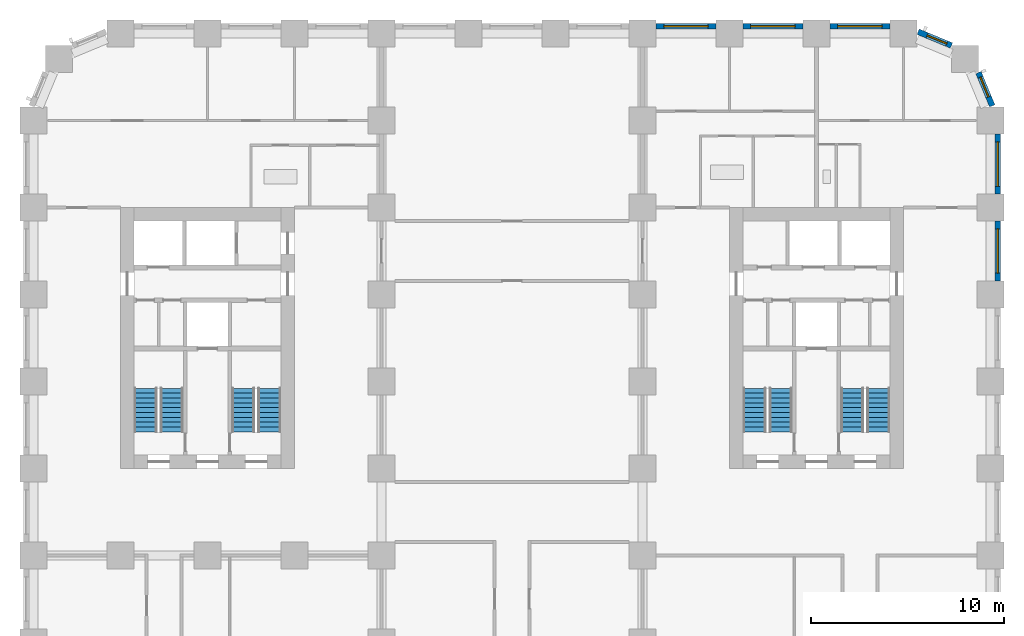
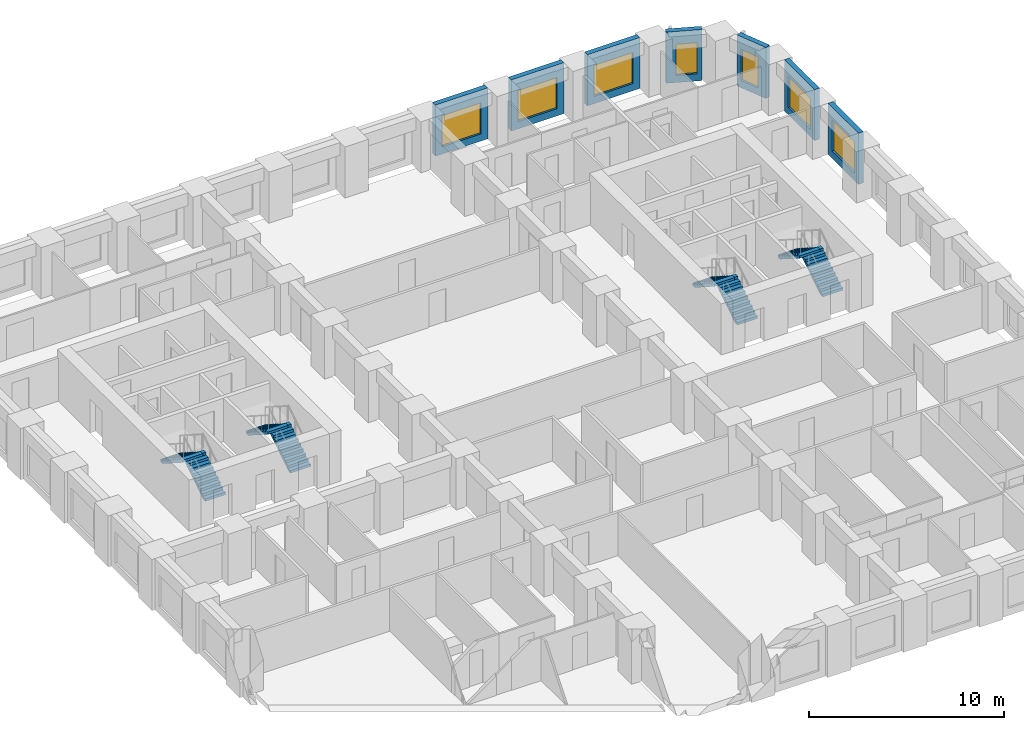
# One storey, part 9 of 12: 8 stair flights, 7 walls, 7 windows, 7 openings, 4 elements without a shape of their own.
"""IFC4 building model written with IfcOpenShell, lengths in metres."""

from ifc_helpers import new_model, si_unit, direction, frame, frame_2d, origin, place, context, subcontext, project, spatial, polyline, rectangle, outline, extrude, material, layer, layer_set, type_object, element, fill, aggregate, save


model = new_model("IFC4")

# Units and contexts
model_context = context("Model", 3, precision=1e-05, world=origin(), true_north=direction((0.0, 1.0)))
body_context = subcontext(model_context, "Body", "Model", "MODEL_VIEW")
ifc_project = project(units=[si_unit("LENGTHUNIT", "METRE"), si_unit("AREAUNIT", "SQUARE_METRE"), si_unit("VOLUMEUNIT", "CUBIC_METRE"), si_unit("PLANEANGLEUNIT", "RADIAN"), si_unit("MASSUNIT", "GRAM", prefix="KILO")], contexts=[model_context])

# Site, building, storey
site_placement = place(None, origin())
site = spatial("IfcSite", under=ifc_project, at=site_placement, CompositionType="ELEMENT")
building_placement = place(site_placement, origin())
building = spatial("IfcBuilding", under=site, at=building_placement, Name="Girih Gate Residences", CompositionType="ELEMENT")
storey_placement = place(building_placement, frame((0.0, 0.0, 72.0)))
storey = spatial("IfcBuildingStorey", under=building, at=storey_placement, Name="L19", CompositionType="ELEMENT", Elevation=72.0)

# Wall, opening, window
ifc_material_1 = material(Name="Precast concrete C50/60", Category="concrete")
ifc_layer_1 = layer(ifc_material_1, 0.080078125, Name="Outer leaf")
ifc_material_2 = material(Name="Rigid PIR insulation")
ifc_layer_2 = layer(ifc_material_2, 0.14990234375, Name="Insulation")
ifc_material_3 = material(Name="Precast concrete C40/50", Category="concrete")
ifc_layer_3 = layer(ifc_material_3, 0.070068359375, Name="Inner leaf")
ifc_layer_set = layer_set([ifc_layer_1, ifc_layer_2, ifc_layer_3], Name="Precast concrete C50/60 external wall 300")
wall_type = type_object("IfcWallType", Name="Precast concrete C50/60 external wall 300", PredefinedType="SOLIDWALL", material=ifc_layer_set)
wall_1_placement = place(storey_placement, frame((49.875, 39.800048828125, 0.0), z_axis=(0.0, 0.0, 1.0), x_axis=(0.0, -1.0, 0.0)))
wall_1 = element("IfcWall", 1, at=wall_1_placement, inside=storey, type_object=wall_type, Name="External wall E0495_0045.7", PredefinedType="SOLIDWALL", context=body_context, shape_type="SweptSolid", body=[
    extrude(rectangle(XDim=3.10009765625, YDim=0.300048828125, at=frame_2d((1.550048828125, 0.0))), origin(), (0.0, 0.0, 1.0), 3.199951171875),
])
opening_1_placement = place(wall_1_placement, frame((0.39990234375, 0.0, 0.449951171875)))
opening_1 = element("IfcOpeningElement", 2, at=opening_1_placement, cuts=wall_1, Name="Opening W-1", PredefinedType="OPENING", context=body_context, shape_type="SweptSolid", body=[
    extrude(rectangle(XDim=2.300048828125, YDim=1.949951171875, at=frame_2d((1.14990234375, 0.97509765625))), frame((0.0, 0.159912109375, 0.0), z_axis=(0.0, -1.0, 0.0), x_axis=(1.0, 0.0, 0.0)), (0.0, 0.0, 1.0), 0.320068359375),
])
ifc_material_4 = material(Name="Double glazing in aluminium frame", Category="aluminium")
window_type_1 = type_object("IfcWindowType", Name="Window W-1 2300x1950", PartitioningType="SINGLE_PANEL", PredefinedType="WINDOW", material=ifc_material_4)
window_1_placement = place(opening_1_placement, origin())
window_1 = element("IfcWindow", 3, at=window_1_placement, inside=storey, type_object=window_type_1, Name="Window W-1 E0495_0045.7", OverallHeight=1.949951171875, OverallWidth=2.300048828125, PartitioningType="SINGLE_PANEL", PredefinedType="WINDOW", context=body_context, shape_type="SweptSolid", body=[
    extrude(rectangle(XDim=2.300048828125, YDim=1.949951171875, at=frame_2d((1.14990234375, 0.97509765625))), frame((0.0, 0.030029296875, 0.0), z_axis=(0.0, -1.0, 0.0), x_axis=(1.0, 0.0, 0.0)), (0.0, 0.0, 1.0), 0.06005859375),
])
fill(opening_1, window_1)

wall_2_placement = place(storey_placement, frame((49.875, 44.300048828125, 0.0), z_axis=(0.0, 0.0, 1.0), x_axis=(0.0, -1.0, 0.0)))
wall_2 = element("IfcWall", 4, at=wall_2_placement, inside=storey, type_object=wall_type, Name="External wall E0495_0045.8", PredefinedType="SOLIDWALL", context=body_context, shape_type="SweptSolid", body=[
    extrude(rectangle(XDim=3.10009765625, YDim=0.300048828125, at=frame_2d((1.550048828125, 0.0))), origin(), (0.0, 0.0, 1.0), 3.199951171875),
])
opening_2_placement = place(wall_2_placement, frame((0.39990234375, 0.0, 0.449951171875)))
opening_2 = element("IfcOpeningElement", 5, at=opening_2_placement, cuts=wall_2, Name="Opening W-1", PredefinedType="OPENING", context=body_context, shape_type="SweptSolid", body=[
    extrude(rectangle(XDim=2.300048828125, YDim=1.949951171875, at=frame_2d((1.14990234375, 0.97509765625))), frame((0.0, 0.159912109375, 0.0), z_axis=(0.0, -1.0, 0.0), x_axis=(1.0, 0.0, 0.0)), (0.0, 0.0, 1.0), 0.320068359375),
])
window_2_placement = place(opening_2_placement, origin())
window_2 = element("IfcWindow", 6, at=window_2_placement, inside=storey, type_object=window_type_1, Name="Window W-1 E0495_0045.8", OverallHeight=1.949951171875, OverallWidth=2.300048828125, PartitioningType="SINGLE_PANEL", PredefinedType="WINDOW", context=body_context, shape_type="SweptSolid", body=[
    extrude(rectangle(XDim=2.300048828125, YDim=1.949951171875, at=frame_2d((1.14990234375, 0.97509765625))), frame((0.0, 0.030029296875, 0.0), z_axis=(0.0, -1.0, 0.0), x_axis=(1.0, 0.0, 0.0)), (0.0, 0.0, 1.0), 0.06005859375),
])
fill(opening_2, window_2)

wall_3_placement = place(storey_placement, frame((48.87841796875, 47.48046875, 0.0), z_axis=(0.0, 0.0, 1.0), x_axis=(0.38262540684, -0.923903565336, 0.0)))
wall_3 = element("IfcWall", 7, at=wall_3_placement, inside=storey, type_object=wall_type, Name="External wall NE0495_0450.0", PredefinedType="SOLIDWALL", context=body_context, shape_type="SweptSolid", body=[
    extrude(rectangle(XDim=1.864990234375, YDim=0.300048828125, at=frame_2d((0.9326171875, 0.0))), origin(), (0.0, 0.0, 1.0), 3.199951171875),
])
opening_3_placement = place(wall_3_placement, frame((0.257568359375, 0.0, 0.449951171875)))
opening_3 = element("IfcOpeningElement", 8, at=opening_3_placement, cuts=wall_3, Name="Opening W-2C", PredefinedType="OPENING", context=body_context, shape_type="SweptSolid", body=[
    extrude(rectangle(XDim=1.10009765625, YDim=1.949951171875, at=frame_2d((0.550048828125, 0.97509765625))), frame((0.0, 0.159912109375, 0.0), z_axis=(0.0, -1.0, 0.0), x_axis=(1.0, 0.0, 0.0)), (0.0, 0.0, 1.0), 0.320068359375),
])
window_type_2 = type_object("IfcWindowType", Name="Window W-2C 1100x1950", PartitioningType="SINGLE_PANEL", PredefinedType="WINDOW", material=ifc_material_4)
window_3_placement = place(opening_3_placement, origin())
window_3 = element("IfcWindow", 9, at=window_3_placement, inside=storey, type_object=window_type_2, Name="Window W-2C NE0495_0450.0", OverallHeight=1.949951171875, OverallWidth=1.10009765625, PartitioningType="SINGLE_PANEL", PredefinedType="WINDOW", context=body_context, shape_type="SweptSolid", body=[
    extrude(rectangle(XDim=1.10009765625, YDim=1.949951171875, at=frame_2d((0.550048828125, 0.97509765625))), frame((0.0, 0.030029296875, 0.0), z_axis=(0.0, -1.0, 0.0), x_axis=(1.0, 0.0, 0.0)), (0.0, 0.0, 1.0), 0.06005859375),
])
fill(opening_3, window_3)

wall_4_placement = place(storey_placement, frame((45.75732421875, 49.59228515625, 0.0), z_axis=(0.0, 0.0, 1.0), x_axis=(0.923857286003, -0.382737135771, 0.0)))
wall_4 = element("IfcWall", 10, at=wall_4_placement, inside=storey, type_object=wall_type, Name="External wall NE0482_0482.0", PredefinedType="SOLIDWALL", context=body_context, shape_type="SweptSolid", body=[
    extrude(rectangle(XDim=1.865234375, YDim=0.300048828125, at=frame_2d((0.9326171875, 0.0))), origin(), (0.0, 0.0, 1.0), 3.199951171875),
])
opening_4_placement = place(wall_4_placement, frame((0.507568359375, 0.0, 0.449951171875)))
opening_4 = element("IfcOpeningElement", 11, at=opening_4_placement, cuts=wall_4, Name="Opening W-2C", PredefinedType="OPENING", context=body_context, shape_type="SweptSolid", body=[
    extrude(rectangle(XDim=1.10009765625, YDim=1.949951171875, at=frame_2d((0.550048828125, 0.97509765625))), frame((0.0, 0.159912109375, 0.0), z_axis=(0.0, -1.0, 0.0), x_axis=(1.0, 0.0, 0.0)), (0.0, 0.0, 1.0), 0.320068359375),
])
window_4_placement = place(opening_4_placement, origin())
window_4 = element("IfcWindow", 12, at=window_4_placement, inside=storey, type_object=window_type_2, Name="Window W-2C NE0482_0482.0", OverallHeight=1.949951171875, OverallWidth=1.10009765625, PartitioningType="SINGLE_PANEL", PredefinedType="WINDOW", context=body_context, shape_type="SweptSolid", body=[
    extrude(rectangle(XDim=1.10009765625, YDim=1.949951171875, at=frame_2d((0.550048828125, 0.97509765625))), frame((0.0, 0.030029296875, 0.0), z_axis=(0.0, -1.0, 0.0), x_axis=(1.0, 0.0, 0.0)), (0.0, 0.0, 1.0), 0.06005859375),
])
fill(opening_4, window_4)

wall_5_placement = place(storey_placement, frame((41.199951171875, 49.875, 0.0), z_axis=(0.0, 0.0, 1.0), x_axis=(1.0, 0.0, 0.0)))
wall_5 = element("IfcWall", 13, at=wall_5_placement, inside=storey, type_object=wall_type, Name="External wall N0450_0495.0", PredefinedType="SOLIDWALL", context=body_context, shape_type="SweptSolid", body=[
    extrude(rectangle(XDim=3.10009765625, YDim=0.300048828125, at=frame_2d((1.550048828125, 0.0))), origin(), (0.0, 0.0, 1.0), 3.199951171875),
])
opening_5_placement = place(wall_5_placement, frame((0.39990234375, 0.0, 0.449951171875)))
opening_5 = element("IfcOpeningElement", 14, at=opening_5_placement, cuts=wall_5, Name="Opening W-1", PredefinedType="OPENING", context=body_context, shape_type="SweptSolid", body=[
    extrude(rectangle(XDim=2.300048828125, YDim=1.949951171875, at=frame_2d((1.14990234375, 0.97509765625))), frame((0.0, 0.159912109375, 0.0), z_axis=(0.0, -1.0, 0.0), x_axis=(1.0, 0.0, 0.0)), (0.0, 0.0, 1.0), 0.320068359375),
])
window_5_placement = place(opening_5_placement, origin())
window_5 = element("IfcWindow", 15, at=window_5_placement, inside=storey, type_object=window_type_1, Name="Window W-1 N0450_0495.0", OverallHeight=1.949951171875, OverallWidth=2.300048828125, PartitioningType="SINGLE_PANEL", PredefinedType="WINDOW", context=body_context, shape_type="SweptSolid", body=[
    extrude(rectangle(XDim=2.300048828125, YDim=1.949951171875, at=frame_2d((1.14990234375, 0.97509765625))), frame((0.0, 0.030029296875, 0.0), z_axis=(0.0, -1.0, 0.0), x_axis=(1.0, 0.0, 0.0)), (0.0, 0.0, 1.0), 0.06005859375),
])
fill(opening_5, window_5)

wall_6_placement = place(storey_placement, frame((36.699951171875, 49.875, 0.0), z_axis=(0.0, 0.0, 1.0), x_axis=(1.0, 0.0, 0.0)))
wall_6 = element("IfcWall", 16, at=wall_6_placement, inside=storey, type_object=wall_type, Name="External wall N0450_0495.1", PredefinedType="SOLIDWALL", context=body_context, shape_type="SweptSolid", body=[
    extrude(rectangle(XDim=3.10009765625, YDim=0.300048828125, at=frame_2d((1.550048828125, 0.0))), origin(), (0.0, 0.0, 1.0), 3.199951171875),
])
opening_6_placement = place(wall_6_placement, frame((0.39990234375, 0.0, 0.449951171875)))
opening_6 = element("IfcOpeningElement", 17, at=opening_6_placement, cuts=wall_6, Name="Opening W-1", PredefinedType="OPENING", context=body_context, shape_type="SweptSolid", body=[
    extrude(rectangle(XDim=2.300048828125, YDim=1.949951171875, at=frame_2d((1.14990234375, 0.97509765625))), frame((0.0, 0.159912109375, 0.0), z_axis=(0.0, -1.0, 0.0), x_axis=(1.0, 0.0, 0.0)), (0.0, 0.0, 1.0), 0.320068359375),
])
window_6_placement = place(opening_6_placement, origin())
window_6 = element("IfcWindow", 18, at=window_6_placement, inside=storey, type_object=window_type_1, Name="Window W-1 N0450_0495.1", OverallHeight=1.949951171875, OverallWidth=2.300048828125, PartitioningType="SINGLE_PANEL", PredefinedType="WINDOW", context=body_context, shape_type="SweptSolid", body=[
    extrude(rectangle(XDim=2.300048828125, YDim=1.949951171875, at=frame_2d((1.14990234375, 0.97509765625))), frame((0.0, 0.030029296875, 0.0), z_axis=(0.0, -1.0, 0.0), x_axis=(1.0, 0.0, 0.0)), (0.0, 0.0, 1.0), 0.06005859375),
])
fill(opening_6, window_6)

wall_7_placement = place(storey_placement, frame((32.199951171875, 49.875, 0.0), z_axis=(0.0, 0.0, 1.0), x_axis=(1.0, 0.0, 0.0)))
wall_7 = element("IfcWall", 19, at=wall_7_placement, inside=storey, type_object=wall_type, Name="External wall N0450_0495.2", PredefinedType="SOLIDWALL", context=body_context, shape_type="SweptSolid", body=[
    extrude(rectangle(XDim=3.10009765625, YDim=0.300048828125, at=frame_2d((1.550048828125, 0.0))), origin(), (0.0, 0.0, 1.0), 3.199951171875),
])
opening_7_placement = place(wall_7_placement, frame((0.39990234375, 0.0, 0.449951171875)))
opening_7 = element("IfcOpeningElement", 20, at=opening_7_placement, cuts=wall_7, Name="Opening W-1", PredefinedType="OPENING", context=body_context, shape_type="SweptSolid", body=[
    extrude(rectangle(XDim=2.300048828125, YDim=1.949951171875, at=frame_2d((1.14990234375, 0.97509765625))), frame((0.0, 0.159912109375, 0.0), z_axis=(0.0, -1.0, 0.0), x_axis=(1.0, 0.0, 0.0)), (0.0, 0.0, 1.0), 0.320068359375),
])
window_7_placement = place(opening_7_placement, origin())
window_7 = element("IfcWindow", 21, at=window_7_placement, inside=storey, type_object=window_type_1, Name="Window W-1 N0450_0495.2", OverallHeight=1.949951171875, OverallWidth=2.300048828125, PartitioningType="SINGLE_PANEL", PredefinedType="WINDOW", context=body_context, shape_type="SweptSolid", body=[
    extrude(rectangle(XDim=2.300048828125, YDim=1.949951171875, at=frame_2d((1.14990234375, 0.97509765625))), frame((0.0, 0.030029296875, 0.0), z_axis=(0.0, -1.0, 0.0), x_axis=(1.0, 0.0, 0.0)), (0.0, 0.0, 1.0), 0.06005859375),
])
fill(opening_7, window_7)

# Stair, stair flights
ifc_material_5 = material(Name="Concrete C40/50", Category="concrete")
stair_type = type_object("IfcStairType", Name="Exit stair", PredefinedType="HALF_TURN_STAIR", material=ifc_material_5)
stair_1_placement = place(storey_placement, origin())
stair_1 = element("IfcStair", 22, at=stair_1_placement, inside=storey, type_object=stair_type, Name="L19 Exit Stair ST-W1", PredefinedType="HALF_TURN_STAIR")
stair_flight_type = type_object("IfcStairFlightType", Name="Stair flight 1200", PredefinedType="STRAIGHT", material=ifc_material_5)
stair_flight_1_placement = place(storey_placement, frame((7.14990234375, 28.89990234375, 0.0), z_axis=(0.0, 0.0, 1.0), x_axis=(0.0, 1.0, 0.0)))
stair_flight_1 = element("IfcStairFlight", 23, at=stair_flight_1_placement, type_object=stair_flight_type, Name="ST-W1 flight 1", NumberOfRisers=10, NumberOfTreads=9, PredefinedType="STRAIGHT", RiserHeight=0.16, TreadLength=0.25, context=body_context, shape_type="SweptSolid", body=[
    extrude(outline(polyline([(0.0, 0.0), (0.0, 0.159912109375), (0.25, 0.159912109375), (0.25, 0.320068359375), (0.5, 0.320068359375), (0.5, 0.47998046875), (0.75, 0.47998046875), (0.75, 0.639892578125), (1.0, 0.639892578125), (1.0, 0.800048828125), (1.25, 0.800048828125), (1.25, 0.9599609375), (1.5, 0.9599609375), (1.5, 1.1201171875), (1.75, 1.1201171875), (1.75, 1.280029296875), (2.0, 1.280029296875), (2.0, 1.43994140625), (2.25, 1.43994140625), (2.25, 1.60009765625), (2.25, 1.29736328125), (0.222900390625, 0.0), (0.0, 0.0)])), frame((0.0, 0.60009765625, 0.0), z_axis=(0.0, -1.0, 0.0), x_axis=(1.0, 0.0, 0.0)), (0.0, 0.0, 1.0), 1.199951171875),
])
stair_flight_2_placement = place(storey_placement, frame((5.800048828125, 31.14990234375, 1.60009765625), z_axis=(0.0, 0.0, 1.0), x_axis=(0.0, -1.0, 0.0)))
stair_flight_2 = element("IfcStairFlight", 24, at=stair_flight_2_placement, type_object=stair_flight_type, Name="ST-W1 flight 2", NumberOfRisers=10, NumberOfTreads=9, PredefinedType="STRAIGHT", RiserHeight=0.16, TreadLength=0.25, context=body_context, shape_type="SweptSolid", body=[
    extrude(outline(polyline([(0.0, 0.0), (0.0, 0.159912109375), (0.25, 0.159912109375), (0.25, 0.320068359375), (0.5, 0.320068359375), (0.5, 0.47998046875), (0.75, 0.47998046875), (0.75, 0.639892578125), (1.0, 0.639892578125), (1.0, 0.800048828125), (1.25, 0.800048828125), (1.25, 0.9599609375), (1.5, 0.9599609375), (1.5, 1.1201171875), (1.75, 1.1201171875), (1.75, 1.280029296875), (2.0, 1.280029296875), (2.0, 1.43994140625), (2.25, 1.43994140625), (2.25, 1.60009765625), (2.25, 1.29736328125), (0.222900390625, 0.0), (0.0, 0.0)])), frame((0.0, 0.60009765625, 0.0), z_axis=(0.0, -1.0, 0.0), x_axis=(1.0, 0.0, 0.0)), (0.0, 0.0, 1.0), 1.199951171875),
])
aggregate(stair_1, [stair_flight_1, stair_flight_2])

stair_2_placement = place(storey_placement, origin())
stair_2 = element("IfcStair", 25, at=stair_2_placement, inside=storey, type_object=stair_type, Name="L19 Exit Stair ST-W2", PredefinedType="HALF_TURN_STAIR")
stair_flight_3_placement = place(storey_placement, frame((12.199951171875, 28.89990234375, 0.0), z_axis=(0.0, 0.0, 1.0), x_axis=(0.0, 1.0, 0.0)))
stair_flight_3 = element("IfcStairFlight", 26, at=stair_flight_3_placement, type_object=stair_flight_type, Name="ST-W2 flight 1", NumberOfRisers=10, NumberOfTreads=9, PredefinedType="STRAIGHT", RiserHeight=0.16, TreadLength=0.25, context=body_context, shape_type="SweptSolid", body=[
    extrude(outline(polyline([(0.0, 0.0), (0.0, 0.159912109375), (0.25, 0.159912109375), (0.25, 0.320068359375), (0.5, 0.320068359375), (0.5, 0.47998046875), (0.75, 0.47998046875), (0.75, 0.639892578125), (1.0, 0.639892578125), (1.0, 0.800048828125), (1.25, 0.800048828125), (1.25, 0.9599609375), (1.5, 0.9599609375), (1.5, 1.1201171875), (1.75, 1.1201171875), (1.75, 1.280029296875), (2.0, 1.280029296875), (2.0, 1.43994140625), (2.25, 1.43994140625), (2.25, 1.60009765625), (2.25, 1.29736328125), (0.222900390625, 0.0), (0.0, 0.0)])), frame((0.0, 0.60009765625, 0.0), z_axis=(0.0, -1.0, 0.0), x_axis=(1.0, 0.0, 0.0)), (0.0, 0.0, 1.0), 1.199951171875),
])
stair_flight_4_placement = place(storey_placement, frame((10.85009765625, 31.14990234375, 1.60009765625), z_axis=(0.0, 0.0, 1.0), x_axis=(0.0, -1.0, 0.0)))
stair_flight_4 = element("IfcStairFlight", 27, at=stair_flight_4_placement, type_object=stair_flight_type, Name="ST-W2 flight 2", NumberOfRisers=10, NumberOfTreads=9, PredefinedType="STRAIGHT", RiserHeight=0.16, TreadLength=0.25, context=body_context, shape_type="SweptSolid", body=[
    extrude(outline(polyline([(0.0, 0.0), (0.0, 0.159912109375), (0.25, 0.159912109375), (0.25, 0.320068359375), (0.5, 0.320068359375), (0.5, 0.47998046875), (0.75, 0.47998046875), (0.75, 0.639892578125), (1.0, 0.639892578125), (1.0, 0.800048828125), (1.25, 0.800048828125), (1.25, 0.9599609375), (1.5, 0.9599609375), (1.5, 1.1201171875), (1.75, 1.1201171875), (1.75, 1.280029296875), (2.0, 1.280029296875), (2.0, 1.43994140625), (2.25, 1.43994140625), (2.25, 1.60009765625), (2.25, 1.29736328125), (0.222900390625, 0.0), (0.0, 0.0)])), frame((0.0, 0.60009765625, 0.0), z_axis=(0.0, -1.0, 0.0), x_axis=(1.0, 0.0, 0.0)), (0.0, 0.0, 1.0), 1.199951171875),
])
aggregate(stair_2, [stair_flight_3, stair_flight_4])

stair_3_placement = place(storey_placement, origin())
stair_3 = element("IfcStair", 28, at=stair_3_placement, inside=storey, type_object=stair_type, Name="L19 Exit Stair ST-E1", PredefinedType="HALF_TURN_STAIR")
stair_flight_5_placement = place(storey_placement, frame((43.699951171875, 28.89990234375, 0.0), z_axis=(0.0, 0.0, 1.0), x_axis=(0.0, 1.0, 0.0)))
stair_flight_5 = element("IfcStairFlight", 29, at=stair_flight_5_placement, type_object=stair_flight_type, Name="ST-E1 flight 1", NumberOfRisers=10, NumberOfTreads=9, PredefinedType="STRAIGHT", RiserHeight=0.16, TreadLength=0.25, context=body_context, shape_type="SweptSolid", body=[
    extrude(outline(polyline([(0.0, 0.0), (0.0, 0.159912109375), (0.25, 0.159912109375), (0.25, 0.320068359375), (0.5, 0.320068359375), (0.5, 0.47998046875), (0.75, 0.47998046875), (0.75, 0.639892578125), (1.0, 0.639892578125), (1.0, 0.800048828125), (1.25, 0.800048828125), (1.25, 0.9599609375), (1.5, 0.9599609375), (1.5, 1.1201171875), (1.75, 1.1201171875), (1.75, 1.280029296875), (2.0, 1.280029296875), (2.0, 1.43994140625), (2.25, 1.43994140625), (2.25, 1.60009765625), (2.25, 1.29736328125), (0.222900390625, 0.0), (0.0, 0.0)])), frame((0.0, 0.60009765625, 0.0), z_axis=(0.0, -1.0, 0.0), x_axis=(1.0, 0.0, 0.0)), (0.0, 0.0, 1.0), 1.199951171875),
])
stair_flight_6_placement = place(storey_placement, frame((42.35009765625, 31.14990234375, 1.60009765625), z_axis=(0.0, 0.0, 1.0), x_axis=(0.0, -1.0, 0.0)))
stair_flight_6 = element("IfcStairFlight", 30, at=stair_flight_6_placement, type_object=stair_flight_type, Name="ST-E1 flight 2", NumberOfRisers=10, NumberOfTreads=9, PredefinedType="STRAIGHT", RiserHeight=0.16, TreadLength=0.25, context=body_context, shape_type="SweptSolid", body=[
    extrude(outline(polyline([(0.0, 0.0), (0.0, 0.159912109375), (0.25, 0.159912109375), (0.25, 0.320068359375), (0.5, 0.320068359375), (0.5, 0.47998046875), (0.75, 0.47998046875), (0.75, 0.639892578125), (1.0, 0.639892578125), (1.0, 0.800048828125), (1.25, 0.800048828125), (1.25, 0.9599609375), (1.5, 0.9599609375), (1.5, 1.1201171875), (1.75, 1.1201171875), (1.75, 1.280029296875), (2.0, 1.280029296875), (2.0, 1.43994140625), (2.25, 1.43994140625), (2.25, 1.60009765625), (2.25, 1.29736328125), (0.222900390625, 0.0), (0.0, 0.0)])), frame((0.0, 0.60009765625, 0.0), z_axis=(0.0, -1.0, 0.0), x_axis=(1.0, 0.0, 0.0)), (0.0, 0.0, 1.0), 1.199951171875),
])
aggregate(stair_3, [stair_flight_5, stair_flight_6])

stair_4_placement = place(storey_placement, origin())
stair_4 = element("IfcStair", 31, at=stair_4_placement, inside=storey, type_object=stair_type, Name="L19 Exit Stair ST-E2", PredefinedType="HALF_TURN_STAIR")
stair_flight_7_placement = place(storey_placement, frame((38.64990234375, 28.89990234375, 0.0), z_axis=(0.0, 0.0, 1.0), x_axis=(0.0, 1.0, 0.0)))
stair_flight_7 = element("IfcStairFlight", 32, at=stair_flight_7_placement, type_object=stair_flight_type, Name="ST-E2 flight 1", NumberOfRisers=10, NumberOfTreads=9, PredefinedType="STRAIGHT", RiserHeight=0.16, TreadLength=0.25, context=body_context, shape_type="SweptSolid", body=[
    extrude(outline(polyline([(0.0, 0.0), (0.0, 0.159912109375), (0.25, 0.159912109375), (0.25, 0.320068359375), (0.5, 0.320068359375), (0.5, 0.47998046875), (0.75, 0.47998046875), (0.75, 0.639892578125), (1.0, 0.639892578125), (1.0, 0.800048828125), (1.25, 0.800048828125), (1.25, 0.9599609375), (1.5, 0.9599609375), (1.5, 1.1201171875), (1.75, 1.1201171875), (1.75, 1.280029296875), (2.0, 1.280029296875), (2.0, 1.43994140625), (2.25, 1.43994140625), (2.25, 1.60009765625), (2.25, 1.29736328125), (0.222900390625, 0.0), (0.0, 0.0)])), frame((0.0, 0.60009765625, 0.0), z_axis=(0.0, -1.0, 0.0), x_axis=(1.0, 0.0, 0.0)), (0.0, 0.0, 1.0), 1.199951171875),
])
stair_flight_8_placement = place(storey_placement, frame((37.300048828125, 31.14990234375, 1.60009765625), z_axis=(0.0, 0.0, 1.0), x_axis=(0.0, -1.0, 0.0)))
stair_flight_8 = element("IfcStairFlight", 33, at=stair_flight_8_placement, type_object=stair_flight_type, Name="ST-E2 flight 2", NumberOfRisers=10, NumberOfTreads=9, PredefinedType="STRAIGHT", RiserHeight=0.16, TreadLength=0.25, context=body_context, shape_type="SweptSolid", body=[
    extrude(outline(polyline([(0.0, 0.0), (0.0, 0.159912109375), (0.25, 0.159912109375), (0.25, 0.320068359375), (0.5, 0.320068359375), (0.5, 0.47998046875), (0.75, 0.47998046875), (0.75, 0.639892578125), (1.0, 0.639892578125), (1.0, 0.800048828125), (1.25, 0.800048828125), (1.25, 0.9599609375), (1.5, 0.9599609375), (1.5, 1.1201171875), (1.75, 1.1201171875), (1.75, 1.280029296875), (2.0, 1.280029296875), (2.0, 1.43994140625), (2.25, 1.43994140625), (2.25, 1.60009765625), (2.25, 1.29736328125), (0.222900390625, 0.0), (0.0, 0.0)])), frame((0.0, 0.60009765625, 0.0), z_axis=(0.0, -1.0, 0.0), x_axis=(1.0, 0.0, 0.0)), (0.0, 0.0, 1.0), 1.199951171875),
])
aggregate(stair_4, [stair_flight_7, stair_flight_8])

save(model, "model.ifc")
